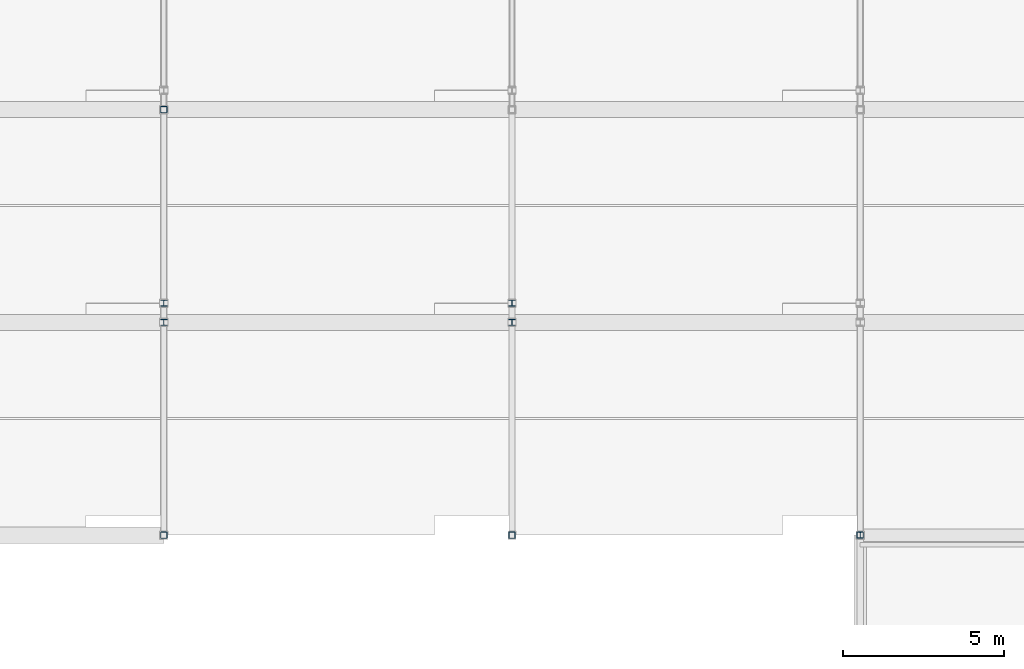
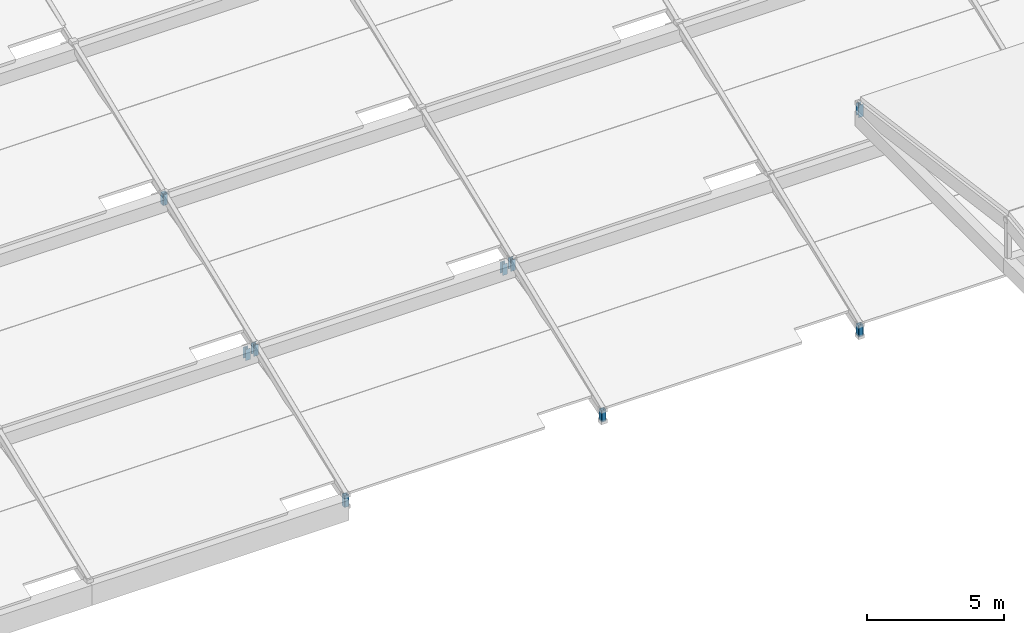
# One storey, part 86 of 112: 9 members.
"""IFC4 building model written with IfcOpenShell, lengths in metres."""

from ifc_helpers import new_model, si_unit, direction, frame, origin, origin_2d, place, context, subcontext, project, spatial, hollow_rectangle, i_section, extrude, material, material_profile, profile_set, type_object, element, save


model = new_model("IFC4")

# Units and contexts
model_context = context("Model", 3, precision=1e-05, world=origin(), true_north=direction((0.0, 1.0)))
body_context = subcontext(model_context, "Body", "Model", "MODEL_VIEW")
ifc_project = project(units=[si_unit("LENGTHUNIT", "METRE"), si_unit("AREAUNIT", "SQUARE_METRE"), si_unit("VOLUMEUNIT", "CUBIC_METRE"), si_unit("PLANEANGLEUNIT", "RADIAN"), si_unit("MASSUNIT", "GRAM", prefix="KILO")], contexts=[model_context])

# Site, building, storey
site_placement = place(None, origin())
site = spatial("IfcSite", under=ifc_project, at=site_placement, CompositionType="ELEMENT")
building_placement = place(site_placement, origin())
building = spatial("IfcBuilding", under=site, at=building_placement, Name="Zwinboog Wholesale Market", CompositionType="ELEMENT")
storey_placement = place(building_placement, frame((0.0, 0.0, 19.080078125)))
storey = spatial("IfcBuildingStorey", under=building, at=storey_placement, Name="Roof", CompositionType="ELEMENT", Elevation=19.080078125)

# Members
ifc_material = material(Name="Steel S355", Category="steel")
ifc_material_profile_1 = material_profile(ifc_material, hollow_rectangle(XDim=0.199951171875, YDim=0.199951171875, WallThickness=0.010009765625, InnerFilletRadius=0.010009765625, OuterFilletRadius=0.02001953125, at=origin_2d()), Name="SHS 200x200x10")
ifc_profile_set_1 = profile_set([ifc_material_profile_1], Name="Steel S355")
member_type_1 = type_object("IfcMemberType", Name="MT-04", PredefinedType="BRACE", material=ifc_profile_set_1)
for number, where, z_axis, x_axis, name in (
    (1, (129.60009765625, 43.199951171875, -10.030029296875), (0.0, 0.0, 1.0), (1.0, 0.0, 0.0), "DB-01 (MEM-Roof-0182)"),
    (2, (129.60009765625, 56.39990234375, -4.630126953125), (0.0, 0.0, 1.0), (1.0, 0.0, 0.0), "DB-01 (MEM-Roof-0188)"),
    (3, (140.39990234375, 43.199951171875, -10.030029296875), (0.0, 0.0, 1.0), (1.0, 0.0, 0.0), "DB-01 (MEM-Roof-0212)"),
    (4, (151.199951171875, 43.199951171875, -10.030029296875), (0.0, 0.0, 1.0), (1.0, 0.0, 0.0), "DB-01 (MEM-Roof-0242)"),
):
    element("IfcMember", number, at=place(storey_placement, frame(where, z_axis=z_axis, x_axis=x_axis)), inside=storey, type_object=member_type_1, Name=name, PredefinedType="BRACE", context=body_context, shape_type="SweptSolid", body=[
        extrude(hollow_rectangle(XDim=0.199951171875, YDim=0.199951171875, WallThickness=0.010009765625, InnerFilletRadius=0.010009765625, OuterFilletRadius=0.02001953125, at=origin_2d()), origin(), (0.0, 0.0, 1.0), 0.5),
    ])
ifc_material_profile_2 = material_profile(ifc_material, i_section(OverallWidth=0.199951171875, OverallDepth=0.18994140625, WebThickness=0.006591796875, FlangeThickness=0.010009765625, FilletRadius=0.01806640625, at=origin_2d()), Name="HEA 200")
ifc_profile_set_2 = profile_set([ifc_material_profile_2], Name="Steel S355")
member_type_2 = type_object("IfcMemberType", Name="MT-05", PredefinedType="BRACE", material=ifc_profile_set_2)
for number, where, z_axis, x_axis, name in (
    (5, (129.60009765625, 50.39990234375, -7.880126953125), (0.0, 0.0, 1.0), (1.0, 0.0, 0.0), "DB-02 (MEM-Roof-0183)"),
    (6, (129.60009765625, 49.800048828125, -7.330078125), (0.0, 0.0, 1.0), (1.0, 0.0, 0.0), "DB-02 (MEM-Roof-0185)"),
    (7, (140.39990234375, 50.39990234375, -7.880126953125), (0.0, 0.0, 1.0), (1.0, 0.0, 0.0), "DB-02 (MEM-Roof-0213)"),
    (8, (140.39990234375, 49.800048828125, -7.330078125), (0.0, 0.0, 1.0), (1.0, 0.0, 0.0), "DB-02 (MEM-Roof-0215)"),
):
    element("IfcMember", number, at=place(storey_placement, frame(where, z_axis=z_axis, x_axis=x_axis)), inside=storey, type_object=member_type_2, Name=name, PredefinedType="BRACE", context=body_context, shape_type="SweptSolid", body=[
        extrude(i_section(OverallWidth=0.199951171875, OverallDepth=0.18994140625, WebThickness=0.006591796875, FlangeThickness=0.010009765625, FilletRadius=0.01806640625, at=origin_2d()), origin(), (0.0, 0.0, 1.0), 0.5),
    ])
member_placement = place(storey_placement, frame((151.199951171875, 43.199951171875, -0.280029296875), z_axis=(0.0, 0.0, 1.0), x_axis=(1.0, 0.0, 0.0)))
element("IfcMember", 9, at=member_placement, inside=storey, type_object=member_type_2, Name="DB-02 (MEM-Roof-0928)", PredefinedType="BRACE", context=body_context, shape_type="SweptSolid", body=[
    extrude(i_section(OverallWidth=0.199951171875, OverallDepth=0.18994140625, WebThickness=0.006591796875, FlangeThickness=0.010009765625, FilletRadius=0.01806640625, at=origin_2d()), origin(), (0.0, 0.0, 1.0), 0.550048828125),
])

save(model, "model.ifc")
